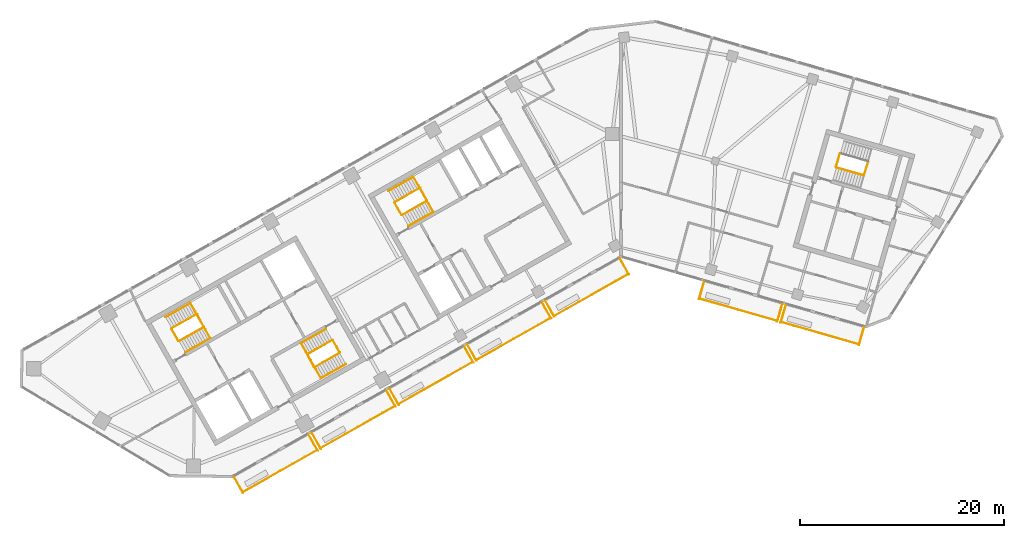
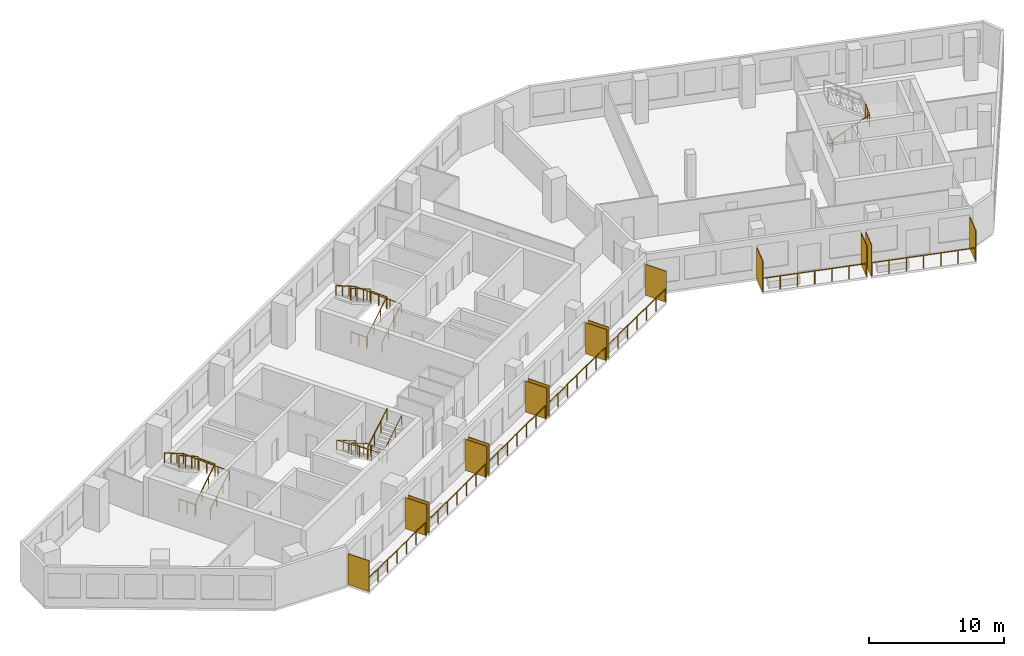
# One storey, part 10 of 12: 21 railings, 14 shading devices.
"""IFC4 building model written with IfcOpenShell, lengths in metres."""

from ifc_helpers import new_model, si_unit, direction, frame, origin, origin_2d, place, context, subcontext, project, spatial, rectangle, circle, extrude, material, layer, layer_set, type_object, element, save


model = new_model("IFC4")

# Units and contexts
model_context = context("Model", 3, precision=1e-05, world=origin(), true_north=direction((0.0, 1.0)))
body_context = subcontext(model_context, "Body", "Model", "MODEL_VIEW")
ifc_project = project(units=[si_unit("LENGTHUNIT", "METRE"), si_unit("AREAUNIT", "SQUARE_METRE"), si_unit("VOLUMEUNIT", "CUBIC_METRE"), si_unit("PLANEANGLEUNIT", "RADIAN"), si_unit("MASSUNIT", "GRAM", prefix="KILO")], contexts=[model_context])

# Site, building, storey
site_placement = place(None, origin())
site = spatial("IfcSite", under=ifc_project, at=site_placement, CompositionType="ELEMENT")
building_placement = place(site_placement, origin())
building = spatial("IfcBuilding", under=site, at=building_placement, Name="Binnacle Exchange Tower", CompositionType="ELEMENT")
storey_placement = place(building_placement, frame((0.0, 0.0, 250.39990234375)))
storey = spatial("IfcBuildingStorey", under=building, at=storey_placement, Name="L55", CompositionType="ELEMENT", Elevation=250.39990234375)

# Railings
ifc_material_1 = material(Name="Bronze anodised aluminium frame", Category="aluminium")
railing_type_1 = type_object("IfcRailingType", Name="GUARD 1200", PredefinedType="GUARDRAIL", material=ifc_material_1)
railing_1_placement = place(storey_placement, frame((-37.006591796875, 24.94287109375, 0.0)))
element("IfcRailing", 1, at=railing_1_placement, inside=storey, type_object=railing_type_1, Name="Balcony guard G01-B00 L55", PredefinedType="GUARDRAIL", context=body_context, shape_type="SweptSolid", body=[
    extrude(circle(Radius=0.02392578125, at=origin_2d()), frame((0.0, 0.0, 1.17578125), z_axis=(0.870353267448, 0.492427852424, 0.0), x_axis=(-0.492427852424, 0.870353267448, 0.0)), (0.0, 0.0, 1.0), 8.334716796875),
    extrude(circle(Radius=0.02099609375, at=origin_2d()), origin(), (0.0, 0.0, 1.0), 1.15185546875),
    extrude(circle(Radius=0.02099609375, at=origin_2d()), frame((1.208984375, 0.68408203125, 0.0)), (0.0, 0.0, 1.0), 1.15185546875),
    extrude(circle(Radius=0.02099609375, at=origin_2d()), frame((2.41796875, 1.3681640625, 0.0)), (0.0, 0.0, 1.0), 1.15185546875),
    extrude(circle(Radius=0.02099609375, at=origin_2d()), frame((3.626953125, 2.05224609375, 0.0)), (0.0, 0.0, 1.0), 1.15185546875),
    extrude(circle(Radius=0.02099609375, at=origin_2d()), frame((4.836181640625, 2.736083984375, 0.0)), (0.0, 0.0, 1.0), 1.15185546875),
    extrude(circle(Radius=0.02099609375, at=origin_2d()), frame((6.045166015625, 3.420166015625, 0.0)), (0.0, 0.0, 1.0), 1.15185546875),
    extrude(circle(Radius=0.02099609375, at=origin_2d()), frame((7.254150390625, 4.104248046875, 0.0)), (0.0, 0.0, 1.0), 1.15185546875),
])
railing_2_placement = place(storey_placement, frame((-29.386962890625, 29.25390625, 0.0)))
element("IfcRailing", 2, at=railing_2_placement, inside=storey, type_object=railing_type_1, Name="Balcony guard G01-B01 L55", PredefinedType="GUARDRAIL", context=body_context, shape_type="SweptSolid", body=[
    extrude(circle(Radius=0.02392578125, at=origin_2d()), frame((0.0, 0.0, 1.17578125), z_axis=(0.870365821494, 0.492405662818, 0.0), x_axis=(-0.492405662818, 0.870365821494, 0.0)), (0.0, 0.0, 1.0), 8.334716796875),
    extrude(circle(Radius=0.02099609375, at=origin_2d()), origin(), (0.0, 0.0, 1.0), 1.15185546875),
    extrude(circle(Radius=0.02099609375, at=origin_2d()), frame((1.208984375, 0.68408203125, 0.0)), (0.0, 0.0, 1.0), 1.15185546875),
    extrude(circle(Radius=0.02099609375, at=origin_2d()), frame((2.41796875, 1.367919921875, 0.0)), (0.0, 0.0, 1.0), 1.15185546875),
    extrude(circle(Radius=0.02099609375, at=origin_2d()), frame((3.626953125, 2.052001953125, 0.0)), (0.0, 0.0, 1.0), 1.15185546875),
    extrude(circle(Radius=0.02099609375, at=origin_2d()), frame((4.836181640625, 2.736083984375, 0.0)), (0.0, 0.0, 1.0), 1.15185546875),
    extrude(circle(Radius=0.02099609375, at=origin_2d()), frame((6.045166015625, 3.419921875, 0.0)), (0.0, 0.0, 1.0), 1.15185546875),
    extrude(circle(Radius=0.02099609375, at=origin_2d()), frame((7.254150390625, 4.10400390625, 0.0)), (0.0, 0.0, 1.0), 1.15185546875),
])
for number, where, name in (
    (3, (-21.767333984375, 33.564697265625, 0.0), "Balcony guard G01-B02 L55"),
    (4, (-14.147705078125, 37.875732421875, 0.0), "Balcony guard G01-B03 L55"),
):
    element("IfcRailing", number, at=place(storey_placement, frame(where)), inside=storey, type_object=railing_type_1, Name=name, PredefinedType="GUARDRAIL", context=body_context, shape_type="SweptSolid", body=[
        extrude(circle(Radius=0.02392578125, at=origin_2d()), frame((0.0, 0.0, 1.17578125), z_axis=(0.8703461643, 0.49244040684, 0.0), x_axis=(-0.49244040684, 0.8703461643, 0.0)), (0.0, 0.0, 1.0), 8.33447265625),
        extrude(circle(Radius=0.02099609375, at=origin_2d()), origin(), (0.0, 0.0, 1.0), 1.15185546875),
        extrude(circle(Radius=0.02099609375, at=origin_2d()), frame((1.208984375, 0.68408203125, 0.0)), (0.0, 0.0, 1.0), 1.15185546875),
        extrude(circle(Radius=0.02099609375, at=origin_2d()), frame((2.41796875, 1.3681640625, 0.0)), (0.0, 0.0, 1.0), 1.15185546875),
        extrude(circle(Radius=0.02099609375, at=origin_2d()), frame((3.626953125, 2.05224609375, 0.0)), (0.0, 0.0, 1.0), 1.15185546875),
        extrude(circle(Radius=0.02099609375, at=origin_2d()), frame((4.8359375, 2.736083984375, 0.0)), (0.0, 0.0, 1.0), 1.15185546875),
        extrude(circle(Radius=0.02099609375, at=origin_2d()), frame((6.044921875, 3.420166015625, 0.0)), (0.0, 0.0, 1.0), 1.15185546875),
        extrude(circle(Radius=0.02099609375, at=origin_2d()), frame((7.25390625, 4.104248046875, 0.0)), (0.0, 0.0, 1.0), 1.15185546875),
    ])
railing_3_placement = place(storey_placement, frame((-6.5283203125, 42.186767578125, 0.0)))
element("IfcRailing", 5, at=railing_3_placement, inside=storey, type_object=railing_type_1, Name="Balcony guard G01-B04 L55", PredefinedType="GUARDRAIL", context=body_context, shape_type="SweptSolid", body=[
    extrude(circle(Radius=0.02392578125, at=origin_2d()), frame((0.0, 0.0, 1.17578125), z_axis=(0.870365821494, 0.492405662818, 0.0), x_axis=(-0.492405662818, 0.870365821494, 0.0)), (0.0, 0.0, 1.0), 8.334716796875),
    extrude(circle(Radius=0.02099609375, at=origin_2d()), origin(), (0.0, 0.0, 1.0), 1.15185546875),
    extrude(circle(Radius=0.02099609375, at=origin_2d()), frame((1.208984375, 0.68408203125, 0.0)), (0.0, 0.0, 1.0), 1.15185546875),
    extrude(circle(Radius=0.02099609375, at=origin_2d()), frame((2.41796875, 1.367919921875, 0.0)), (0.0, 0.0, 1.0), 1.15185546875),
    extrude(circle(Radius=0.02099609375, at=origin_2d()), frame((3.626953125, 2.052001953125, 0.0)), (0.0, 0.0, 1.0), 1.15185546875),
    extrude(circle(Radius=0.02099609375, at=origin_2d()), frame((4.836181640625, 2.736083984375, 0.0)), (0.0, 0.0, 1.0), 1.15185546875),
    extrude(circle(Radius=0.02099609375, at=origin_2d()), frame((6.045166015625, 3.419921875, 0.0)), (0.0, 0.0, 1.0), 1.15185546875),
    extrude(circle(Radius=0.02099609375, at=origin_2d()), frame((7.254150390625, 4.10400390625, 0.0)), (0.0, 0.0, 1.0), 1.15185546875),
])
railing_4_placement = place(storey_placement, frame((7.69140625, 43.875244140625, 0.0)))
element("IfcRailing", 6, at=railing_4_placement, inside=storey, type_object=railing_type_1, Name="Balcony guard G02-B01 L55", PredefinedType="GUARDRAIL", context=body_context, shape_type="SweptSolid", body=[
    extrude(circle(Radius=0.02392578125, at=origin_2d()), frame((0.0, 0.0, 1.17578125), z_axis=(0.961259965977, -0.275643388836, 0.0), x_axis=(0.275643388836, 0.961259965977, 0.0)), (0.0, 0.0, 1.0), 7.900634765625),
    extrude(circle(Radius=0.02099609375, at=origin_2d()), origin(), (0.0, 0.0, 1.0), 1.15185546875),
    extrude(circle(Radius=0.02099609375, at=origin_2d()), frame((1.265625, -0.363037109375, 0.0)), (0.0, 0.0, 1.0), 1.15185546875),
    extrude(circle(Radius=0.02099609375, at=origin_2d()), frame((2.531494140625, -0.725830078125, 0.0)), (0.0, 0.0, 1.0), 1.15185546875),
    extrude(circle(Radius=0.02099609375, at=origin_2d()), frame((3.79736328125, -1.0888671875, 0.0)), (0.0, 0.0, 1.0), 1.15185546875),
    extrude(circle(Radius=0.02099609375, at=origin_2d()), frame((5.06298828125, -1.451904296875, 0.0)), (0.0, 0.0, 1.0), 1.15185546875),
    extrude(circle(Radius=0.02099609375, at=origin_2d()), frame((6.32861328125, -1.814697265625, 0.0)), (0.0, 0.0, 1.0), 1.15185546875),
    extrude(circle(Radius=0.02099609375, at=origin_2d()), frame((7.594482421875, -2.177734375, 0.0)), (0.0, 0.0, 1.0), 1.15185546875),
])
railing_5_placement = place(storey_placement, frame((15.689453125, 41.581787109375, 0.0)))
element("IfcRailing", 7, at=railing_5_placement, inside=storey, type_object=railing_type_1, Name="Balcony guard G02-B02 L55", PredefinedType="GUARDRAIL", context=body_context, shape_type="SweptSolid", body=[
    extrude(circle(Radius=0.02392578125, at=origin_2d()), frame((0.0, 0.0, 1.17578125), z_axis=(0.961257617982, -0.275651576943, 0.0), x_axis=(0.275651576943, 0.961257617982, 0.0)), (0.0, 0.0, 1.0), 7.900390625),
    extrude(circle(Radius=0.02099609375, at=origin_2d()), origin(), (0.0, 0.0, 1.0), 1.15185546875),
    extrude(circle(Radius=0.02099609375, at=origin_2d()), frame((1.265625, -0.363037109375, 0.0)), (0.0, 0.0, 1.0), 1.15185546875),
    extrude(circle(Radius=0.02099609375, at=origin_2d()), frame((2.531494140625, -0.725830078125, 0.0)), (0.0, 0.0, 1.0), 1.15185546875),
    extrude(circle(Radius=0.02099609375, at=origin_2d()), frame((3.797119140625, -1.0888671875, 0.0)), (0.0, 0.0, 1.0), 1.15185546875),
    extrude(circle(Radius=0.02099609375, at=origin_2d()), frame((5.062744140625, -1.451904296875, 0.0)), (0.0, 0.0, 1.0), 1.15185546875),
    extrude(circle(Radius=0.02099609375, at=origin_2d()), frame((6.32861328125, -1.814697265625, 0.0)), (0.0, 0.0, 1.0), 1.15185546875),
    extrude(circle(Radius=0.02099609375, at=origin_2d()), frame((7.59423828125, -2.177734375, 0.0)), (0.0, 0.0, 1.0), 1.15185546875),
])

# Shading devices
ifc_material_2 = material(Name="Bronze aluminium louvre", Category="aluminium")
ifc_layer = layer(ifc_material_2, 0.06005859375)
ifc_layer_set = layer_set([ifc_layer], Name="PLANTED SCREEN 60x2800")
shading_device_type = type_object("IfcShadingDeviceType", Name="PLANTED SCREEN 60x2800", PredefinedType="USERDEFINED", material=ifc_layer_set)
for number, where, z_axis, x_axis, name in (
    (8, (-37.436279296875, 25.641845703125, 0.0), (0.0, 0.0, 1.0), (0.87035569594, 0.492423560103, 0.0), "Planted screen G01-B00a L55"),
    (9, (-30.130126953125, 29.775390625, 0.0), (0.0, 0.0, 1.0), (0.87035569594, 0.492423560103, 0.0), "Planted screen G01-B00b L55"),
    (10, (-29.81689453125, 29.95263671875, 0.0), (0.0, 0.0, 1.0), (0.87035569594, 0.492423560103, 0.0), "Planted screen G01-B01a L55"),
    (11, (-22.510498046875, 34.08642578125, 0.0), (0.0, 0.0, 1.0), (0.87035569594, 0.492423560103, 0.0), "Planted screen G01-B01b L55"),
    (12, (-22.197265625, 34.263671875, 0.0), (0.0, 0.0, 1.0), (0.87035569594, 0.492423560103, 0.0), "Planted screen G01-B02a L55"),
    (13, (-14.89111328125, 38.3974609375, 0.0), (0.0, 0.0, 1.0), (0.87035569594, 0.492423560103, 0.0), "Planted screen G01-B02b L55"),
    (14, (-14.57763671875, 38.57470703125, 0.0), (0.0, 0.0, 1.0), (0.87035569594, 0.492423560103, 0.0), "Planted screen G01-B03a L55"),
    (15, (-7.271484375, 42.70849609375, 0.0), (0.0, 0.0, 1.0), (0.87035569594, 0.492423560103, 0.0), "Planted screen G01-B03b L55"),
    (16, (-6.9580078125, 42.885498046875, 0.0), (0.0, 0.0, 1.0), (0.87035569594, 0.492423560103, 0.0), "Planted screen G01-B04a L55"),
    (17, (0.34814453125, 47.019287109375, 0.0), (0.0, 0.0, 1.0), (0.87035569594, 0.492423560103, 0.0), "Planted screen G01-B04b L55"),
    (18, (7.888671875, 44.671630859375, 0.0), (0.0, 0.0, 1.0), (0.961261695938, -0.275637355817, 0.0), "Planted screen G02-B01a L55"),
    (19, (15.54052734375, 42.4775390625, 0.0), (0.0, 0.0, 1.0), (0.961261695938, -0.275637355817, 0.0), "Planted screen G02-B01b L55"),
    (20, (15.88671875, 42.37841796875, 0.0), (0.0, 0.0, 1.0), (0.961261695938, -0.275637355817, 0.0), "Planted screen G02-B02a L55"),
    (21, (23.538818359375, 40.18408203125, 0.0), (0.0, 0.0, 1.0), (0.961261695938, -0.275637355817, 0.0), "Planted screen G02-B02b L55"),
):
    element("IfcShadingDevice", number, at=place(storey_placement, frame(where, z_axis=z_axis, x_axis=x_axis)), inside=storey, type_object=shading_device_type, Name=name, ObjectType="SCREEN", PredefinedType="USERDEFINED", context=body_context, shape_type="SweptSolid", body=[
        extrude(rectangle(XDim=0.06005859375, YDim=1.800048828125, at=origin_2d()), origin(), (0.0, 0.0, 1.0), 2.800048828125),
    ])

# Railings
ifc_material_3 = material(Name="Steel guard rail", Category="steel")
railing_type_2 = type_object("IfcRailingType", Name="STAIR GUARD 1100", PredefinedType="GUARDRAIL", material=ifc_material_3)
railing_6_placement = place(storey_placement, frame((-43.26171875, 39.71728515625, 0.177490234375)))
element("IfcRailing", 22, at=railing_6_placement, inside=storey, type_object=railing_type_2, Name="L55 STA1 stair guard 1", PredefinedType="GUARDRAIL", context=body_context, shape_type="SweptSolid", body=[
    extrude(circle(Radius=0.02392578125, at=origin_2d()), frame((0.0, 0.0, 1.076171875), z_axis=(0.735358749054, 0.416079564682, 0.534906819964), x_axis=(-0.492453686477, 0.870338650569, 0.0)), (0.0, 0.0, 1.0), 3.31396484375),
    extrude(circle(Radius=0.02392578125, at=origin_2d()), frame((2.43701171875, 1.37890625, 2.8486328125), z_axis=(-0.461100321709, 0.887348011391, 0.0), x_axis=(-0.887348011391, -0.461100321709, 0.0)), (0.0, 0.0, 1.0), 1.40087890625),
    extrude(circle(Radius=0.02099609375, at=origin_2d()), origin(), (0.0, 0.0, 1.0), 1.052001953125),
    extrude(circle(Radius=0.02099609375, at=origin_2d()), frame((0.812255859375, 0.459716796875, 0.5908203125)), (0.0, 0.0, 1.0), 1.052001953125),
    extrude(circle(Radius=0.02099609375, at=origin_2d()), frame((1.624755859375, 0.919189453125, 1.181884765625)), (0.0, 0.0, 1.0), 1.052001953125),
    extrude(circle(Radius=0.02099609375, at=origin_2d()), frame((2.43701171875, 1.37890625, 1.772705078125)), (0.0, 0.0, 1.0), 1.052001953125),
    extrude(circle(Radius=0.02099609375, at=origin_2d()), frame((2.114013671875, 2.00048828125, 1.772705078125)), (0.0, 0.0, 1.0), 1.052001953125),
    extrude(circle(Radius=0.02099609375, at=origin_2d()), frame((1.791015625, 2.6220703125, 1.772705078125)), (0.0, 0.0, 1.0), 1.052001953125),
])
railing_7_placement = place(storey_placement, frame((-41.538818359375, 42.358154296875, 2.12744140625)))
element("IfcRailing", 23, at=railing_7_placement, inside=storey, type_object=railing_type_2, Name="L55 STA1 stair guard 2", PredefinedType="GUARDRAIL", context=body_context, shape_type="SweptSolid", body=[
    extrude(circle(Radius=0.02392578125, at=origin_2d()), frame((0.0, 0.0, 1.076171875), z_axis=(-0.735358749054, -0.416079564682, 0.534906819964), x_axis=(0.492453686477, -0.870338650569, 0.0)), (0.0, 0.0, 1.0), 3.31396484375),
    extrude(circle(Radius=0.02099609375, at=origin_2d()), origin(), (0.0, 0.0, 1.0), 1.052001953125),
    extrude(circle(Radius=0.02099609375, at=origin_2d()), frame((-0.812255859375, -0.459716796875, 0.5908203125)), (0.0, 0.0, 1.0), 1.052001953125),
    extrude(circle(Radius=0.02099609375, at=origin_2d()), frame((-1.624755859375, -0.919189453125, 1.181884765625)), (0.0, 0.0, 1.0), 1.052001953125),
    extrude(circle(Radius=0.02099609375, at=origin_2d()), frame((-2.43701171875, -1.37890625, 1.772705078125)), (0.0, 0.0, 1.0), 1.052001953125),
])
railing_8_placement = place(storey_placement, frame((-43.329833984375, 39.736328125, 0.0)))
element("IfcRailing", 24, at=railing_8_placement, inside=storey, type_object=railing_type_2, Name="L55 STA1 stair guard 3", PredefinedType="GUARDRAIL", context=body_context, shape_type="SweptSolid", body=[
    extrude(circle(Radius=0.02392578125, at=origin_2d()), frame((0.0, 0.0, 1.076171875), z_axis=(-0.4924922531, 0.870316827734, 0.0), x_axis=(-0.870316827734, -0.4924922531, 0.0)), (0.0, 0.0, 1.0), 1.349853515625),
    extrude(circle(Radius=0.02099609375, at=origin_2d()), origin(), (0.0, 0.0, 1.0), 1.052001953125),
    extrude(circle(Radius=0.02099609375, at=origin_2d()), frame((-0.33251953125, 0.58740234375, 0.0)), (0.0, 0.0, 1.0), 1.052001953125),
    extrude(circle(Radius=0.02099609375, at=origin_2d()), frame((-0.664794921875, 1.1748046875, 0.0)), (0.0, 0.0, 1.0), 1.052001953125),
])
railing_9_placement = place(storey_placement, frame((-28.265380859375, 39.814453125, 0.177490234375)))
element("IfcRailing", 25, at=railing_9_placement, inside=storey, type_object=railing_type_2, Name="L55 STA2 stair guard 1", PredefinedType="GUARDRAIL", context=body_context, shape_type="SweptSolid", body=[
    extrude(circle(Radius=0.02392578125, at=origin_2d()), frame((0.0, 0.0, 1.076171875), z_axis=(-0.735381288273, -0.416018647052, 0.534923215202), x_axis=(0.492387636113, -0.870376019777, 0.0)), (0.0, 0.0, 1.0), 3.31396484375),
    extrude(circle(Radius=0.02392578125, at=origin_2d()), frame((-2.43701171875, -1.378662109375, 2.8486328125), z_axis=(0.460963092712, -0.887419307406, 0.0), x_axis=(0.887419307406, 0.460963092712, 0.0)), (0.0, 0.0, 1.0), 1.40087890625),
    extrude(circle(Radius=0.02099609375, at=origin_2d()), origin(), (0.0, 0.0, 1.0), 1.052001953125),
    extrude(circle(Radius=0.02099609375, at=origin_2d()), frame((-0.812255859375, -0.45947265625, 0.5908203125)), (0.0, 0.0, 1.0), 1.052001953125),
    extrude(circle(Radius=0.02099609375, at=origin_2d()), frame((-1.624755859375, -0.919189453125, 1.181884765625)), (0.0, 0.0, 1.0), 1.052001953125),
    extrude(circle(Radius=0.02099609375, at=origin_2d()), frame((-2.43701171875, -1.378662109375, 1.772705078125)), (0.0, 0.0, 1.0), 1.052001953125),
    extrude(circle(Radius=0.02099609375, at=origin_2d()), frame((-2.1142578125, -2.000244140625, 1.772705078125)), (0.0, 0.0, 1.0), 1.052001953125),
    extrude(circle(Radius=0.02099609375, at=origin_2d()), frame((-1.791259765625, -2.621826171875, 1.772705078125)), (0.0, 0.0, 1.0), 1.052001953125),
])
railing_10_placement = place(storey_placement, frame((-29.988525390625, 37.173583984375, 2.12744140625)))
element("IfcRailing", 26, at=railing_10_placement, inside=storey, type_object=railing_type_2, Name="L55 STA2 stair guard 2", PredefinedType="GUARDRAIL", context=body_context, shape_type="SweptSolid", body=[
    extrude(circle(Radius=0.02392578125, at=origin_2d()), frame((0.0, 0.0, 1.076171875), z_axis=(0.735358749054, 0.416079564682, 0.534906819964), x_axis=(-0.492453686477, 0.870338650569, 0.0)), (0.0, 0.0, 1.0), 3.31396484375),
    extrude(circle(Radius=0.02099609375, at=origin_2d()), origin(), (0.0, 0.0, 1.0), 1.052001953125),
    extrude(circle(Radius=0.02099609375, at=origin_2d()), frame((0.812255859375, 0.459716796875, 0.5908203125)), (0.0, 0.0, 1.0), 1.052001953125),
    extrude(circle(Radius=0.02099609375, at=origin_2d()), frame((1.624755859375, 0.919189453125, 1.181884765625)), (0.0, 0.0, 1.0), 1.052001953125),
    extrude(circle(Radius=0.02099609375, at=origin_2d()), frame((2.43701171875, 1.37890625, 1.772705078125)), (0.0, 0.0, 1.0), 1.052001953125),
])
railing_11_placement = place(storey_placement, frame((-28.197265625, 39.795654296875, 0.0)))
element("IfcRailing", 27, at=railing_11_placement, inside=storey, type_object=railing_type_2, Name="L55 STA2 stair guard 3", PredefinedType="GUARDRAIL", context=body_context, shape_type="SweptSolid", body=[
    extrude(circle(Radius=0.02392578125, at=origin_2d()), frame((0.0, 0.0, 1.076171875), z_axis=(0.49241474071, -0.870360685654, 0.0), x_axis=(0.870360685654, 0.49241474071, 0.0)), (0.0, 0.0, 1.0), 1.35009765625),
    extrude(circle(Radius=0.02099609375, at=origin_2d()), origin(), (0.0, 0.0, 1.0), 1.052001953125),
    extrude(circle(Radius=0.02099609375, at=origin_2d()), frame((0.33251953125, -0.58740234375, 0.0)), (0.0, 0.0, 1.0), 1.052001953125),
    extrude(circle(Radius=0.02099609375, at=origin_2d()), frame((0.664794921875, -1.175048828125, 0.0)), (0.0, 0.0, 1.0), 1.052001953125),
])
railing_12_placement = place(storey_placement, frame((-21.423828125, 52.07275390625, 0.177490234375)))
element("IfcRailing", 28, at=railing_12_placement, inside=storey, type_object=railing_type_2, Name="L55 STC1 stair guard 1", PredefinedType="GUARDRAIL", context=body_context, shape_type="SweptSolid", body=[
    extrude(circle(Radius=0.02392578125, at=origin_2d()), frame((0.0, 0.0, 1.076171875), z_axis=(0.735381288273, 0.416018647052, 0.534923215202), x_axis=(-0.492387636113, 0.870376019777, 0.0)), (0.0, 0.0, 1.0), 3.31396484375),
    extrude(circle(Radius=0.02392578125, at=origin_2d()), frame((2.43701171875, 1.378662109375, 2.8486328125), z_axis=(-0.460963092712, 0.887419307406, 0.0), x_axis=(-0.887419307406, -0.460963092712, 0.0)), (0.0, 0.0, 1.0), 1.40087890625),
    extrude(circle(Radius=0.02099609375, at=origin_2d()), origin(), (0.0, 0.0, 1.0), 1.052001953125),
    extrude(circle(Radius=0.02099609375, at=origin_2d()), frame((0.812255859375, 0.45947265625, 0.5908203125)), (0.0, 0.0, 1.0), 1.052001953125),
    extrude(circle(Radius=0.02099609375, at=origin_2d()), frame((1.624755859375, 0.919189453125, 1.181884765625)), (0.0, 0.0, 1.0), 1.052001953125),
    extrude(circle(Radius=0.02099609375, at=origin_2d()), frame((2.43701171875, 1.378662109375, 1.772705078125)), (0.0, 0.0, 1.0), 1.052001953125),
    extrude(circle(Radius=0.02099609375, at=origin_2d()), frame((2.1142578125, 2.000244140625, 1.772705078125)), (0.0, 0.0, 1.0), 1.052001953125),
    extrude(circle(Radius=0.02099609375, at=origin_2d()), frame((1.791259765625, 2.621826171875, 1.772705078125)), (0.0, 0.0, 1.0), 1.052001953125),
])
railing_13_placement = place(storey_placement, frame((-19.70068359375, 54.71337890625, 2.12744140625)))
element("IfcRailing", 29, at=railing_13_placement, inside=storey, type_object=railing_type_2, Name="L55 STC1 stair guard 2", PredefinedType="GUARDRAIL", context=body_context, shape_type="SweptSolid", body=[
    extrude(circle(Radius=0.02392578125, at=origin_2d()), frame((0.0, 0.0, 1.076171875), z_axis=(-0.735381288273, -0.416018647052, 0.534923215202), x_axis=(0.492387636113, -0.870376019777, 0.0)), (0.0, 0.0, 1.0), 3.31396484375),
    extrude(circle(Radius=0.02099609375, at=origin_2d()), origin(), (0.0, 0.0, 1.0), 1.052001953125),
    extrude(circle(Radius=0.02099609375, at=origin_2d()), frame((-0.812255859375, -0.45947265625, 0.5908203125)), (0.0, 0.0, 1.0), 1.052001953125),
    extrude(circle(Radius=0.02099609375, at=origin_2d()), frame((-1.624755859375, -0.919189453125, 1.181884765625)), (0.0, 0.0, 1.0), 1.052001953125),
    extrude(circle(Radius=0.02099609375, at=origin_2d()), frame((-2.43701171875, -1.378662109375, 1.772705078125)), (0.0, 0.0, 1.0), 1.052001953125),
])
railing_14_placement = place(storey_placement, frame((-21.491943359375, 52.091552734375, 0.0)))
element("IfcRailing", 30, at=railing_14_placement, inside=storey, type_object=railing_type_2, Name="L55 STC1 stair guard 3", PredefinedType="GUARDRAIL", context=body_context, shape_type="SweptSolid", body=[
    extrude(circle(Radius=0.02392578125, at=origin_2d()), frame((0.0, 0.0, 1.076171875), z_axis=(-0.49241474071, 0.870360685654, 0.0), x_axis=(-0.870360685654, -0.49241474071, 0.0)), (0.0, 0.0, 1.0), 1.35009765625),
    extrude(circle(Radius=0.02099609375, at=origin_2d()), origin(), (0.0, 0.0, 1.0), 1.052001953125),
    extrude(circle(Radius=0.02099609375, at=origin_2d()), frame((-0.33251953125, 0.58740234375, 0.0)), (0.0, 0.0, 1.0), 1.052001953125),
    extrude(circle(Radius=0.02099609375, at=origin_2d()), frame((-0.664794921875, 1.175048828125, 0.0)), (0.0, 0.0, 1.0), 1.052001953125),
])
railing_15_placement = place(storey_placement, frame((21.086669921875, 56.71044921875, 0.177490234375)))
element("IfcRailing", 31, at=railing_15_placement, inside=storey, type_object=railing_type_2, Name="L55 STD1 stair guard 1", PredefinedType="GUARDRAIL", context=body_context, shape_type="SweptSolid", body=[
    extrude(circle(Radius=0.02392578125, at=origin_2d()), frame((0.0, 0.0, 1.076171875), z_axis=(0.81215085225, -0.232948203448, 0.534926282491), x_axis=(0.275711388614, 0.96124046429, 0.0)), (0.0, 0.0, 1.0), 3.31396484375),
    extrude(circle(Radius=0.02392578125, at=origin_2d()), frame((2.69140625, -0.77197265625, 2.8486328125), z_axis=(0.309842533299, 0.950787886208, 0.0), x_axis=(-0.950787886208, 0.309842533299, 0.0)), (0.0, 0.0, 1.0), 1.40087890625),
    extrude(circle(Radius=0.02099609375, at=origin_2d()), origin(), (0.0, 0.0, 1.0), 1.052001953125),
    extrude(circle(Radius=0.02099609375, at=origin_2d()), frame((0.897216796875, -0.25732421875, 0.5908203125)), (0.0, 0.0, 1.0), 1.052001953125),
    extrude(circle(Radius=0.02099609375, at=origin_2d()), frame((1.794189453125, -0.5146484375, 1.181884765625)), (0.0, 0.0, 1.0), 1.052001953125),
    extrude(circle(Radius=0.02099609375, at=origin_2d()), frame((2.69140625, -0.77197265625, 1.772705078125)), (0.0, 0.0, 1.0), 1.052001953125),
    extrude(circle(Radius=0.02099609375, at=origin_2d()), frame((2.908447265625, -0.10595703125, 1.772705078125)), (0.0, 0.0, 1.0), 1.052001953125),
    extrude(circle(Radius=0.02099609375, at=origin_2d()), frame((3.12548828125, 0.56005859375, 1.772705078125)), (0.0, 0.0, 1.0), 1.052001953125),
])
railing_16_placement = place(storey_placement, frame((21.05224609375, 56.772216796875, 0.0)))
element("IfcRailing", 32, at=railing_16_placement, inside=storey, type_object=railing_type_2, Name="L55 STD1 stair guard 3", PredefinedType="GUARDRAIL", context=body_context, shape_type="SweptSolid", body=[
    extrude(circle(Radius=0.02392578125, at=origin_2d()), frame((0.0, 0.0, 1.076171875), z_axis=(0.275795817769, 0.961216243569, 0.0), x_axis=(-0.961216243569, 0.275795817769, 0.0)), (0.0, 0.0, 1.0), 1.349853515625),
    extrude(circle(Radius=0.02099609375, at=origin_2d()), origin(), (0.0, 0.0, 1.0), 1.052001953125),
    extrude(circle(Radius=0.02099609375, at=origin_2d()), frame((0.18603515625, 0.64892578125, 0.0)), (0.0, 0.0, 1.0), 1.052001953125),
    extrude(circle(Radius=0.02099609375, at=origin_2d()), frame((0.372314453125, 1.297607421875, 0.0)), (0.0, 0.0, 1.0), 1.052001953125),
])
ifc_material_4 = material(Name="Steel handrail", Category="steel")
railing_type_3 = type_object("IfcRailingType", Name="STAIR HANDRAIL 900", PredefinedType="HANDRAIL", material=ifc_material_4)
railing_17_placement = place(storey_placement, frame((-42.646240234375, 38.62939453125, 0.177490234375)))
element("IfcRailing", 33, at=railing_17_placement, inside=storey, type_object=railing_type_3, Name="L55 STA1 stair handrail 1", PredefinedType="HANDRAIL", context=body_context, shape_type="SweptSolid", body=[
    extrude(circle(Radius=0.02392578125, at=origin_2d()), frame((0.0, 0.0, 0.8759765625), z_axis=(0.735381288273, 0.416018647052, 0.534923215202), x_axis=(-0.492387636113, 0.870376019777, 0.0)), (0.0, 0.0, 1.0), 3.31396484375),
    extrude(circle(Radius=0.02392578125, at=origin_2d()), frame((2.43701171875, 1.378662109375, 2.6484375), z_axis=(-0.491918640963, 0.869486419234, 0.044826526087), x_axis=(-0.870361318571, -0.492413622004, 0.0)), (0.0, 0.0, 1.0), 3.9541015625),
    extrude(circle(Radius=0.02392578125, at=origin_2d()), frame((0.491943359375, 4.816650390625, 2.82568359375), z_axis=(-0.735381288273, -0.416018647052, 0.534923215202), x_axis=(0.492387636113, -0.870376019777, 0.0)), (0.0, 0.0, 1.0), 3.31396484375),
    extrude(circle(Radius=0.02099609375, at=origin_2d()), origin(), (0.0, 0.0, 1.0), 0.851806640625),
    extrude(circle(Radius=0.02099609375, at=origin_2d()), frame((0.812255859375, 0.45947265625, 0.5908203125)), (0.0, 0.0, 1.0), 0.851806640625),
    extrude(circle(Radius=0.02099609375, at=origin_2d()), frame((1.624755859375, 0.919189453125, 1.181884765625)), (0.0, 0.0, 1.0), 0.851806640625),
    extrude(circle(Radius=0.02099609375, at=origin_2d()), frame((2.43701171875, 1.378662109375, 1.772705078125)), (0.0, 0.0, 1.0), 0.851806640625),
    extrude(circle(Radius=0.02099609375, at=origin_2d()), frame((1.95068359375, 2.23828125, 1.81689453125)), (0.0, 0.0, 1.0), 0.851806640625),
    extrude(circle(Radius=0.02099609375, at=origin_2d()), frame((1.46435546875, 3.09765625, 1.861328125)), (0.0, 0.0, 1.0), 0.851806640625),
    extrude(circle(Radius=0.02099609375, at=origin_2d()), frame((0.978271484375, 3.95703125, 1.90576171875)), (0.0, 0.0, 1.0), 0.851806640625),
    extrude(circle(Radius=0.02099609375, at=origin_2d()), frame((0.491943359375, 4.816650390625, 1.949951171875)), (0.0, 0.0, 1.0), 0.851806640625),
    extrude(circle(Radius=0.02099609375, at=origin_2d()), frame((-0.3203125, 4.357177734375, 2.540771484375)), (0.0, 0.0, 1.0), 0.851806640625),
    extrude(circle(Radius=0.02099609375, at=origin_2d()), frame((-1.1328125, 3.8974609375, 3.1318359375)), (0.0, 0.0, 1.0), 0.851806640625),
    extrude(circle(Radius=0.02099609375, at=origin_2d()), frame((-1.945068359375, 3.43798828125, 3.72265625)), (0.0, 0.0, 1.0), 0.851806640625),
])
railing_18_placement = place(storey_placement, frame((-28.880859375, 40.90234375, 0.177490234375)))
element("IfcRailing", 34, at=railing_18_placement, inside=storey, type_object=railing_type_3, Name="L55 STA2 stair handrail 1", PredefinedType="HANDRAIL", context=body_context, shape_type="SweptSolid", body=[
    extrude(circle(Radius=0.02392578125, at=origin_2d()), frame((0.0, 0.0, 0.8759765625), z_axis=(-0.735381288273, -0.416018647052, 0.534923215202), x_axis=(0.492387636113, -0.870376019777, 0.0)), (0.0, 0.0, 1.0), 3.31396484375),
    extrude(circle(Radius=0.02392578125, at=origin_2d()), frame((-2.43701171875, -1.378662109375, 2.6484375), z_axis=(0.491918640963, -0.869486419234, 0.044826526087), x_axis=(0.870361318571, 0.492413622004, 0.0)), (0.0, 0.0, 1.0), 3.9541015625),
    extrude(circle(Radius=0.02392578125, at=origin_2d()), frame((-0.491943359375, -4.816650390625, 2.82568359375), z_axis=(0.735358749054, 0.416079564682, 0.534906819964), x_axis=(-0.492453686477, 0.870338650569, 0.0)), (0.0, 0.0, 1.0), 3.31396484375),
    extrude(circle(Radius=0.02099609375, at=origin_2d()), origin(), (0.0, 0.0, 1.0), 0.851806640625),
    extrude(circle(Radius=0.02099609375, at=origin_2d()), frame((-0.812255859375, -0.45947265625, 0.5908203125)), (0.0, 0.0, 1.0), 0.851806640625),
    extrude(circle(Radius=0.02099609375, at=origin_2d()), frame((-1.624755859375, -0.919189453125, 1.181884765625)), (0.0, 0.0, 1.0), 0.851806640625),
    extrude(circle(Radius=0.02099609375, at=origin_2d()), frame((-2.43701171875, -1.378662109375, 1.772705078125)), (0.0, 0.0, 1.0), 0.851806640625),
    extrude(circle(Radius=0.02099609375, at=origin_2d()), frame((-1.95068359375, -2.23828125, 1.81689453125)), (0.0, 0.0, 1.0), 0.851806640625),
    extrude(circle(Radius=0.02099609375, at=origin_2d()), frame((-1.46435546875, -3.09765625, 1.861328125)), (0.0, 0.0, 1.0), 0.851806640625),
    extrude(circle(Radius=0.02099609375, at=origin_2d()), frame((-0.978271484375, -3.95703125, 1.90576171875)), (0.0, 0.0, 1.0), 0.851806640625),
    extrude(circle(Radius=0.02099609375, at=origin_2d()), frame((-0.491943359375, -4.816650390625, 1.949951171875)), (0.0, 0.0, 1.0), 0.851806640625),
    extrude(circle(Radius=0.02099609375, at=origin_2d()), frame((0.3203125, -4.35693359375, 2.540771484375)), (0.0, 0.0, 1.0), 0.851806640625),
    extrude(circle(Radius=0.02099609375, at=origin_2d()), frame((1.1328125, -3.8974609375, 3.1318359375)), (0.0, 0.0, 1.0), 0.851806640625),
    extrude(circle(Radius=0.02099609375, at=origin_2d()), frame((1.945068359375, -3.437744140625, 3.72265625)), (0.0, 0.0, 1.0), 0.851806640625),
])
railing_19_placement = place(storey_placement, frame((-20.808349609375, 50.984619140625, 0.177490234375)))
element("IfcRailing", 35, at=railing_19_placement, inside=storey, type_object=railing_type_3, Name="L55 STC1 stair handrail 1", PredefinedType="HANDRAIL", context=body_context, shape_type="SweptSolid", body=[
    extrude(circle(Radius=0.02392578125, at=origin_2d()), frame((0.0, 0.0, 0.8759765625), z_axis=(0.735358749054, 0.416079564682, 0.534906819964), x_axis=(-0.492453686477, 0.870338650569, 0.0)), (0.0, 0.0, 1.0), 3.31396484375),
    extrude(circle(Radius=0.02392578125, at=origin_2d()), frame((2.43701171875, 1.37890625, 2.6484375), z_axis=(-0.491945051309, 0.869471352766, 0.044828932754), x_axis=(-0.87034633103, -0.492440112159, 0.0)), (0.0, 0.0, 1.0), 3.953857421875),
    extrude(circle(Radius=0.02392578125, at=origin_2d()), frame((0.491943359375, 4.816650390625, 2.82568359375), z_axis=(-0.735381288273, -0.416018647052, 0.534923215202), x_axis=(0.492387636113, -0.870376019777, 0.0)), (0.0, 0.0, 1.0), 3.31396484375),
    extrude(circle(Radius=0.02099609375, at=origin_2d()), origin(), (0.0, 0.0, 1.0), 0.851806640625),
    extrude(circle(Radius=0.02099609375, at=origin_2d()), frame((0.812255859375, 0.459716796875, 0.5908203125)), (0.0, 0.0, 1.0), 0.851806640625),
    extrude(circle(Radius=0.02099609375, at=origin_2d()), frame((1.624755859375, 0.919189453125, 1.181884765625)), (0.0, 0.0, 1.0), 0.851806640625),
    extrude(circle(Radius=0.02099609375, at=origin_2d()), frame((2.43701171875, 1.37890625, 1.772705078125)), (0.0, 0.0, 1.0), 0.851806640625),
    extrude(circle(Radius=0.02099609375, at=origin_2d()), frame((1.95068359375, 2.23828125, 1.81689453125)), (0.0, 0.0, 1.0), 0.851806640625),
    extrude(circle(Radius=0.02099609375, at=origin_2d()), frame((1.46435546875, 3.09765625, 1.861328125)), (0.0, 0.0, 1.0), 0.851806640625),
    extrude(circle(Radius=0.02099609375, at=origin_2d()), frame((0.978271484375, 3.957275390625, 1.90576171875)), (0.0, 0.0, 1.0), 0.851806640625),
    extrude(circle(Radius=0.02099609375, at=origin_2d()), frame((0.491943359375, 4.816650390625, 1.949951171875)), (0.0, 0.0, 1.0), 0.851806640625),
    extrude(circle(Radius=0.02099609375, at=origin_2d()), frame((-0.3203125, 4.357177734375, 2.540771484375)), (0.0, 0.0, 1.0), 0.851806640625),
    extrude(circle(Radius=0.02099609375, at=origin_2d()), frame((-1.1328125, 3.8974609375, 3.1318359375)), (0.0, 0.0, 1.0), 0.851806640625),
    extrude(circle(Radius=0.02099609375, at=origin_2d()), frame((-1.945068359375, 3.43798828125, 3.72265625)), (0.0, 0.0, 1.0), 0.851806640625),
])

save(model, "model.ifc")
